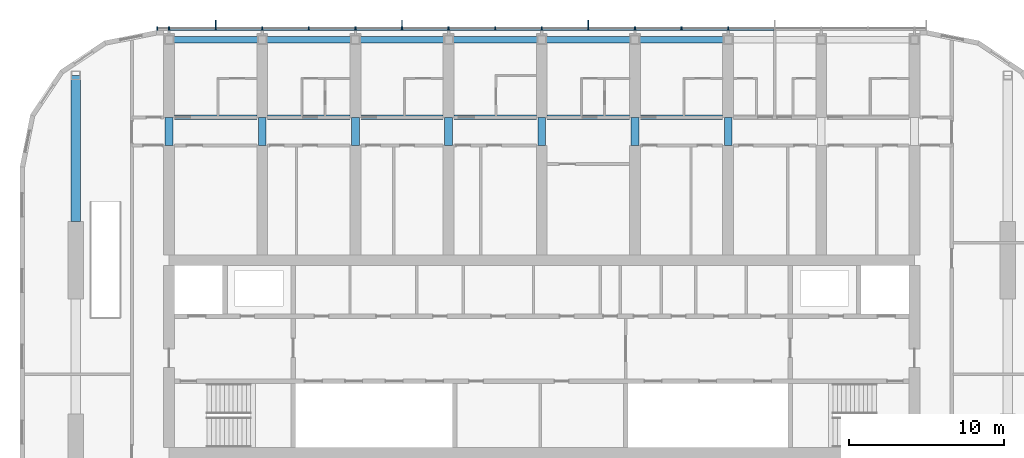
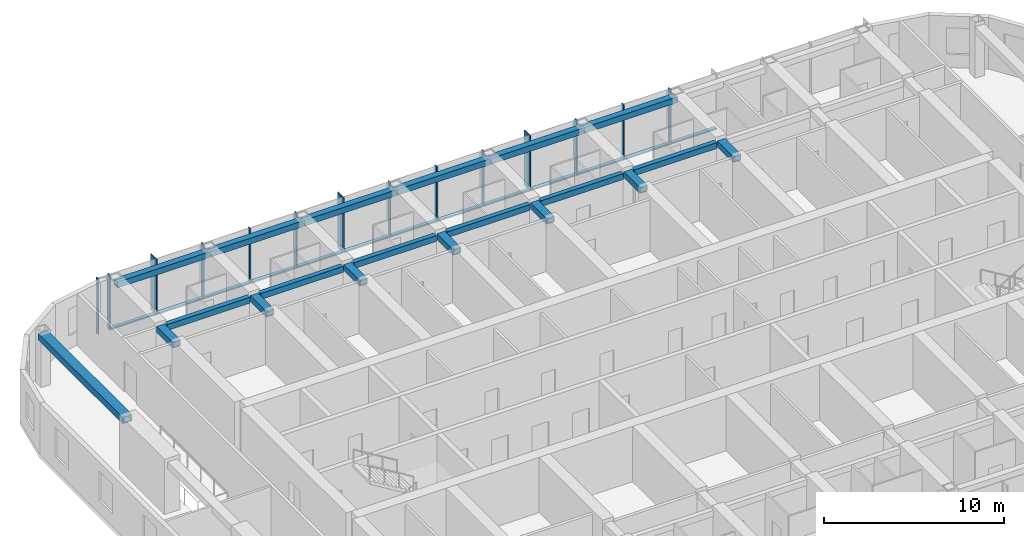
# One storey, part 4 of 23: 30 members, 20 beams, 1 element without a shape of its own.
"""IFC4 building model written with IfcOpenShell, lengths in metres."""

from ifc_helpers import new_model, si_unit, direction, frame, origin, origin_2d, place, context, subcontext, project, spatial, rectangle, hollow_rectangle, extrude, material, material_profile, profile_set, type_object, element, aggregate, save


model = new_model("IFC4")

# Units and contexts
model_context = context("Model", 3, precision=1e-05, world=origin(), true_north=direction((0.0, 1.0)))
body_context = subcontext(model_context, "Body", "Model", "MODEL_VIEW")
ifc_project = project(units=[si_unit("LENGTHUNIT", "METRE"), si_unit("AREAUNIT", "SQUARE_METRE"), si_unit("VOLUMEUNIT", "CUBIC_METRE"), si_unit("PLANEANGLEUNIT", "RADIAN"), si_unit("MASSUNIT", "GRAM", prefix="KILO")], contexts=[model_context])

# Site, building, storey
site_placement = place(None, origin())
site = spatial("IfcSite", under=ifc_project, at=site_placement, CompositionType="ELEMENT")
building_placement = place(site_placement, origin())
building = spatial("IfcBuilding", under=site, at=building_placement, Name="Orbita Commons", CompositionType="ELEMENT")
storey_placement = place(building_placement, frame((0.0, 0.0, 220.300048828125)))
storey = spatial("IfcBuildingStorey", under=building, at=storey_placement, Name="L54", CompositionType="ELEMENT", Elevation=220.300048828125)

# Curtain wall, members
ifc_material_1 = material(Name="Anodised aluminium frame, pale silver", Category="aluminium")
curtain_wall_type = type_object("IfcCurtainWallType", Name="Unitised curtain wall CW-U, full-height vision", PredefinedType="NOTDEFINED", material=ifc_material_1)
curtain_wall_placement = place(storey_placement, origin())
curtain_wall = element("IfcCurtainWall", 1, at=curtain_wall_placement, inside=storey, type_object=curtain_wall_type, Name="Curtain wall north L54", PredefinedType="NOTDEFINED")
ifc_material_2 = material(Name="Anodised aluminium, pale silver", Category="aluminium")
ifc_material_profile_1 = material_profile(ifc_material_2, rectangle(XDim=0.080078125, YDim=0.219970703125, at=origin_2d()), Name="AL 80x220")
ifc_profile_set_1 = profile_set([ifc_material_profile_1], Name="Anodised aluminium, pale silver")
member_type_1 = type_object("IfcMemberType", Name="Curtain wall mullion 80x220", PredefinedType="MULLION", material=ifc_profile_set_1)
member_1_placement = place(storey_placement, frame((54.0, 53.110107421875, -0.25), z_axis=(0.0, 0.0, 1.0), x_axis=(-1.0, 0.0, 0.0)))
member_1 = element("IfcMember", 2, at=member_1_placement, type_object=member_type_1, Name="Mullion 6 CW-L54-N", PredefinedType="MULLION", context=body_context, shape_type="SweptSolid", body=[
    extrude(rectangle(XDim=0.080078125, YDim=0.219970703125, at=origin_2d()), origin(), (0.0, 0.0, 1.0), 3.75),
])
member_2_placement = place(storey_placement, frame((51.0, 53.110107421875, -0.25), z_axis=(0.0, 0.0, 1.0), x_axis=(-1.0, 0.0, 0.0)))
member_2 = element("IfcMember", 3, at=member_2_placement, type_object=member_type_1, Name="Mullion 7 CW-L54-N", PredefinedType="MULLION", context=body_context, shape_type="SweptSolid", body=[
    extrude(rectangle(XDim=0.080078125, YDim=0.219970703125, at=origin_2d()), origin(), (0.0, 0.0, 1.0), 3.75),
])
member_3_placement = place(storey_placement, frame((48.0, 53.110107421875, -0.25), z_axis=(0.0, 0.0, 1.0), x_axis=(-1.0, 0.0, 0.0)))
member_3 = element("IfcMember", 4, at=member_3_placement, type_object=member_type_1, Name="Mullion 8 CW-L54-N", PredefinedType="MULLION", context=body_context, shape_type="SweptSolid", body=[
    extrude(rectangle(XDim=0.080078125, YDim=0.219970703125, at=origin_2d()), origin(), (0.0, 0.0, 1.0), 3.75),
])
member_4_placement = place(storey_placement, frame((45.0, 53.110107421875, -0.25), z_axis=(0.0, 0.0, 1.0), x_axis=(-1.0, 0.0, 0.0)))
member_4 = element("IfcMember", 5, at=member_4_placement, type_object=member_type_1, Name="Mullion 9 CW-L54-N", PredefinedType="MULLION", context=body_context, shape_type="SweptSolid", body=[
    extrude(rectangle(XDim=0.080078125, YDim=0.219970703125, at=origin_2d()), origin(), (0.0, 0.0, 1.0), 3.75),
])
member_5_placement = place(storey_placement, frame((42.0, 53.110107421875, -0.25), z_axis=(0.0, 0.0, 1.0), x_axis=(-1.0, 0.0, 0.0)))
member_5 = element("IfcMember", 6, at=member_5_placement, type_object=member_type_1, Name="Mullion 10 CW-L54-N", PredefinedType="MULLION", context=body_context, shape_type="SweptSolid", body=[
    extrude(rectangle(XDim=0.080078125, YDim=0.219970703125, at=origin_2d()), origin(), (0.0, 0.0, 1.0), 3.75),
])
member_6_placement = place(storey_placement, frame((39.0, 53.110107421875, -0.25), z_axis=(0.0, 0.0, 1.0), x_axis=(-1.0, 0.0, 0.0)))
member_6 = element("IfcMember", 7, at=member_6_placement, type_object=member_type_1, Name="Mullion 11 CW-L54-N", PredefinedType="MULLION", context=body_context, shape_type="SweptSolid", body=[
    extrude(rectangle(XDim=0.080078125, YDim=0.219970703125, at=origin_2d()), origin(), (0.0, 0.0, 1.0), 3.75),
])
member_7_placement = place(storey_placement, frame((36.0, 53.110107421875, -0.25), z_axis=(0.0, 0.0, 1.0), x_axis=(-1.0, 0.0, 0.0)))
member_7 = element("IfcMember", 8, at=member_7_placement, type_object=member_type_1, Name="Mullion 12 CW-L54-N", PredefinedType="MULLION", context=body_context, shape_type="SweptSolid", body=[
    extrude(rectangle(XDim=0.080078125, YDim=0.219970703125, at=origin_2d()), origin(), (0.0, 0.0, 1.0), 3.75),
])
member_8_placement = place(storey_placement, frame((33.0, 53.110107421875, -0.25), z_axis=(0.0, 0.0, 1.0), x_axis=(-1.0, 0.0, 0.0)))
member_8 = element("IfcMember", 9, at=member_8_placement, type_object=member_type_1, Name="Mullion 13 CW-L54-N", PredefinedType="MULLION", context=body_context, shape_type="SweptSolid", body=[
    extrude(rectangle(XDim=0.080078125, YDim=0.219970703125, at=origin_2d()), origin(), (0.0, 0.0, 1.0), 3.75),
])
member_9_placement = place(storey_placement, frame((30.0, 53.110107421875, -0.25), z_axis=(0.0, 0.0, 1.0), x_axis=(-1.0, 0.0, 0.0)))
member_9 = element("IfcMember", 10, at=member_9_placement, type_object=member_type_1, Name="Mullion 14 CW-L54-N", PredefinedType="MULLION", context=body_context, shape_type="SweptSolid", body=[
    extrude(rectangle(XDim=0.080078125, YDim=0.219970703125, at=origin_2d()), origin(), (0.0, 0.0, 1.0), 3.75),
])
member_10_placement = place(storey_placement, frame((27.0, 53.110107421875, -0.25), z_axis=(0.0, 0.0, 1.0), x_axis=(-1.0, 0.0, 0.0)))
member_10 = element("IfcMember", 11, at=member_10_placement, type_object=member_type_1, Name="Mullion 15 CW-L54-N", PredefinedType="MULLION", context=body_context, shape_type="SweptSolid", body=[
    extrude(rectangle(XDim=0.080078125, YDim=0.219970703125, at=origin_2d()), origin(), (0.0, 0.0, 1.0), 3.75),
])
member_11_placement = place(storey_placement, frame((24.0, 53.110107421875, -0.25), z_axis=(0.0, 0.0, 1.0), x_axis=(-1.0, 0.0, 0.0)))
member_11 = element("IfcMember", 12, at=member_11_placement, type_object=member_type_1, Name="Mullion 16 CW-L54-N", PredefinedType="MULLION", context=body_context, shape_type="SweptSolid", body=[
    extrude(rectangle(XDim=0.080078125, YDim=0.219970703125, at=origin_2d()), origin(), (0.0, 0.0, 1.0), 3.75),
])
member_12_placement = place(storey_placement, frame((21.0, 53.110107421875, -0.25), z_axis=(0.0, 0.0, 1.0), x_axis=(-1.0, 0.0, 0.0)))
member_12 = element("IfcMember", 13, at=member_12_placement, type_object=member_type_1, Name="Mullion 17 CW-L54-N", PredefinedType="MULLION", context=body_context, shape_type="SweptSolid", body=[
    extrude(rectangle(XDim=0.080078125, YDim=0.219970703125, at=origin_2d()), origin(), (0.0, 0.0, 1.0), 3.75),
])
member_13_placement = place(storey_placement, frame((18.0, 53.110107421875, -0.25), z_axis=(0.0, 0.0, 1.0), x_axis=(-1.0, 0.0, 0.0)))
member_13 = element("IfcMember", 14, at=member_13_placement, type_object=member_type_1, Name="Mullion 18 CW-L54-N", PredefinedType="MULLION", context=body_context, shape_type="SweptSolid", body=[
    extrude(rectangle(XDim=0.080078125, YDim=0.219970703125, at=origin_2d()), origin(), (0.0, 0.0, 1.0), 3.75),
])
member_14_placement = place(storey_placement, frame((17.239990234375, 53.110107421875, -0.25), z_axis=(0.0, 0.0, 1.0), x_axis=(-1.0, 0.0, 0.0)))
member_14 = element("IfcMember", 15, at=member_14_placement, type_object=member_type_1, Name="Mullion 19 CW-L54-N", PredefinedType="MULLION", context=body_context, shape_type="SweptSolid", body=[
    extrude(rectangle(XDim=0.080078125, YDim=0.219970703125, at=origin_2d()), origin(), (0.0, 0.0, 1.0), 3.75),
])
ifc_material_3 = material(Name="Anodised aluminium, pale silver", Category="aluminium")
ifc_material_profile_2 = material_profile(ifc_material_3, rectangle(XDim=0.219970703125, YDim=0.10009765625, at=origin_2d()), Name="AL 220x100")
ifc_profile_set_2 = profile_set([ifc_material_profile_2], Name="Anodised aluminium, pale silver")
member_type_2 = type_object("IfcMemberType", Name="Curtain wall stack transom 220x100", PredefinedType="USERDEFINED", material=ifc_profile_set_2)
member_15_placement = place(storey_placement, frame((56.9599609375, 53.110107421875, -0.199951171875), z_axis=(-1.0, 0.0, 0.0), x_axis=(0.0, -1.0, 0.0)))
member_15 = element("IfcMember", 16, at=member_15_placement, type_object=member_type_2, Name="Transom 5.1 CW-L54-N", ObjectType="TRANSOM", PredefinedType="USERDEFINED", context=body_context, shape_type="SweptSolid", body=[
    extrude(rectangle(XDim=0.219970703125, YDim=0.10009765625, at=origin_2d()), origin(), (0.0, 0.0, 1.0), 2.919921875),
])
member_16_placement = place(storey_placement, frame((53.9599609375, 53.110107421875, -0.199951171875), z_axis=(-1.0, 0.0, 0.0), x_axis=(0.0, -1.0, 0.0)))
member_16 = element("IfcMember", 17, at=member_16_placement, type_object=member_type_2, Name="Transom 6.1 CW-L54-N", ObjectType="TRANSOM", PredefinedType="USERDEFINED", context=body_context, shape_type="SweptSolid", body=[
    extrude(rectangle(XDim=0.219970703125, YDim=0.10009765625, at=origin_2d()), origin(), (0.0, 0.0, 1.0), 2.919921875),
])
member_17_placement = place(storey_placement, frame((50.9599609375, 53.110107421875, -0.199951171875), z_axis=(-1.0, 0.0, 0.0), x_axis=(0.0, -1.0, 0.0)))
member_17 = element("IfcMember", 18, at=member_17_placement, type_object=member_type_2, Name="Transom 7.1 CW-L54-N", ObjectType="TRANSOM", PredefinedType="USERDEFINED", context=body_context, shape_type="SweptSolid", body=[
    extrude(rectangle(XDim=0.219970703125, YDim=0.10009765625, at=origin_2d()), origin(), (0.0, 0.0, 1.0), 2.919921875),
])
member_18_placement = place(storey_placement, frame((47.9599609375, 53.110107421875, -0.199951171875), z_axis=(-1.0, 0.0, 0.0), x_axis=(0.0, -1.0, 0.0)))
member_18 = element("IfcMember", 19, at=member_18_placement, type_object=member_type_2, Name="Transom 8.1 CW-L54-N", ObjectType="TRANSOM", PredefinedType="USERDEFINED", context=body_context, shape_type="SweptSolid", body=[
    extrude(rectangle(XDim=0.219970703125, YDim=0.10009765625, at=origin_2d()), origin(), (0.0, 0.0, 1.0), 2.919921875),
])
member_19_placement = place(storey_placement, frame((44.9599609375, 53.110107421875, -0.199951171875), z_axis=(-1.0, 0.0, 0.0), x_axis=(0.0, -1.0, 0.0)))
member_19 = element("IfcMember", 20, at=member_19_placement, type_object=member_type_2, Name="Transom 9.1 CW-L54-N", ObjectType="TRANSOM", PredefinedType="USERDEFINED", context=body_context, shape_type="SweptSolid", body=[
    extrude(rectangle(XDim=0.219970703125, YDim=0.10009765625, at=origin_2d()), origin(), (0.0, 0.0, 1.0), 2.919921875),
])
member_20_placement = place(storey_placement, frame((41.9599609375, 53.110107421875, -0.199951171875), z_axis=(-1.0, 0.0, 0.0), x_axis=(0.0, -1.0, 0.0)))
member_20 = element("IfcMember", 21, at=member_20_placement, type_object=member_type_2, Name="Transom 10.1 CW-L54-N", ObjectType="TRANSOM", PredefinedType="USERDEFINED", context=body_context, shape_type="SweptSolid", body=[
    extrude(rectangle(XDim=0.219970703125, YDim=0.10009765625, at=origin_2d()), origin(), (0.0, 0.0, 1.0), 2.919921875),
])
member_21_placement = place(storey_placement, frame((38.9599609375, 53.110107421875, -0.199951171875), z_axis=(-1.0, 0.0, 0.0), x_axis=(0.0, -1.0, 0.0)))
member_21 = element("IfcMember", 22, at=member_21_placement, type_object=member_type_2, Name="Transom 11.1 CW-L54-N", ObjectType="TRANSOM", PredefinedType="USERDEFINED", context=body_context, shape_type="SweptSolid", body=[
    extrude(rectangle(XDim=0.219970703125, YDim=0.10009765625, at=origin_2d()), origin(), (0.0, 0.0, 1.0), 2.919921875),
])
member_22_placement = place(storey_placement, frame((35.9599609375, 53.110107421875, -0.199951171875), z_axis=(-1.0, 0.0, 0.0), x_axis=(0.0, -1.0, 0.0)))
member_22 = element("IfcMember", 23, at=member_22_placement, type_object=member_type_2, Name="Transom 12.1 CW-L54-N", ObjectType="TRANSOM", PredefinedType="USERDEFINED", context=body_context, shape_type="SweptSolid", body=[
    extrude(rectangle(XDim=0.219970703125, YDim=0.10009765625, at=origin_2d()), origin(), (0.0, 0.0, 1.0), 2.919921875),
])
member_23_placement = place(storey_placement, frame((32.9599609375, 53.110107421875, -0.199951171875), z_axis=(-1.0, 0.0, 0.0), x_axis=(0.0, -1.0, 0.0)))
member_23 = element("IfcMember", 24, at=member_23_placement, type_object=member_type_2, Name="Transom 13.1 CW-L54-N", ObjectType="TRANSOM", PredefinedType="USERDEFINED", context=body_context, shape_type="SweptSolid", body=[
    extrude(rectangle(XDim=0.219970703125, YDim=0.10009765625, at=origin_2d()), origin(), (0.0, 0.0, 1.0), 2.919921875),
])
member_24_placement = place(storey_placement, frame((29.9599609375, 53.110107421875, -0.199951171875), z_axis=(-1.0, 0.0, 0.0), x_axis=(0.0, -1.0, 0.0)))
member_24 = element("IfcMember", 25, at=member_24_placement, type_object=member_type_2, Name="Transom 14.1 CW-L54-N", ObjectType="TRANSOM", PredefinedType="USERDEFINED", context=body_context, shape_type="SweptSolid", body=[
    extrude(rectangle(XDim=0.219970703125, YDim=0.10009765625, at=origin_2d()), origin(), (0.0, 0.0, 1.0), 2.919921875),
])
member_25_placement = place(storey_placement, frame((26.9599609375, 53.110107421875, -0.199951171875), z_axis=(-1.0, 0.0, 0.0), x_axis=(0.0, -1.0, 0.0)))
member_25 = element("IfcMember", 26, at=member_25_placement, type_object=member_type_2, Name="Transom 15.1 CW-L54-N", ObjectType="TRANSOM", PredefinedType="USERDEFINED", context=body_context, shape_type="SweptSolid", body=[
    extrude(rectangle(XDim=0.219970703125, YDim=0.10009765625, at=origin_2d()), origin(), (0.0, 0.0, 1.0), 2.919921875),
])
member_26_placement = place(storey_placement, frame((23.9599609375, 53.110107421875, -0.199951171875), z_axis=(-1.0, 0.0, 0.0), x_axis=(0.0, -1.0, 0.0)))
member_26 = element("IfcMember", 27, at=member_26_placement, type_object=member_type_2, Name="Transom 16.1 CW-L54-N", ObjectType="TRANSOM", PredefinedType="USERDEFINED", context=body_context, shape_type="SweptSolid", body=[
    extrude(rectangle(XDim=0.219970703125, YDim=0.10009765625, at=origin_2d()), origin(), (0.0, 0.0, 1.0), 2.919921875),
])
member_27_placement = place(storey_placement, frame((20.9599609375, 53.110107421875, -0.199951171875), z_axis=(-1.0, 0.0, 0.0), x_axis=(0.0, -1.0, 0.0)))
member_27 = element("IfcMember", 28, at=member_27_placement, type_object=member_type_2, Name="Transom 17.1 CW-L54-N", ObjectType="TRANSOM", PredefinedType="USERDEFINED", context=body_context, shape_type="SweptSolid", body=[
    extrude(rectangle(XDim=0.219970703125, YDim=0.10009765625, at=origin_2d()), origin(), (0.0, 0.0, 1.0), 2.919921875),
])

# Beams
ifc_material_4 = material(Name="Steel ASTM A572 Gr 50 welded plate", Category="steel")
ifc_material_profile_3 = material_profile(ifc_material_4, hollow_rectangle(XDim=0.300048828125, YDim=0.39990234375, WallThickness=0.0400390625, at=origin_2d()), Name="BOX 400x300x40")
ifc_profile_set_3 = profile_set([ifc_material_profile_3], Name="Steel ASTM A572 Gr 50 welded plate")
beam_type_1 = type_object("IfcBeamType", Name="Steel corridor link BOX 400x300x40", PredefinedType="BEAM", material=ifc_profile_set_3)
for number, where, z_axis, x_axis, name in (
    (29, (18.35009765625, 47.39990234375, 3.300048828125), (1.0, 0.0, 0.0), (0.0, 1.0, 0.0), "Corridor beam NB 4-5 L54"),
    (30, (24.35009765625, 47.39990234375, 3.300048828125), (1.0, 0.0, 0.0), (0.0, 1.0, 0.0), "Corridor beam NB 5-6 L54"),
    (31, (30.35009765625, 47.39990234375, 3.300048828125), (1.0, 0.0, 0.0), (0.0, 1.0, 0.0), "Corridor beam NB 6-7 L54"),
    (32, (36.35009765625, 47.39990234375, 3.300048828125), (1.0, 0.0, 0.0), (0.0, 1.0, 0.0), "Corridor beam NB 7-8 L54"),
    (33, (42.35009765625, 47.39990234375, 3.300048828125), (1.0, 0.0, 0.0), (0.0, 1.0, 0.0), "Corridor beam NB 8-9 L54"),
    (34, (48.35009765625, 47.39990234375, 3.300048828125), (1.0, 0.0, 0.0), (0.0, 1.0, 0.0), "Corridor beam NB 9-10 L54"),
):
    element("IfcBeam", number, at=place(storey_placement, frame(where, z_axis=z_axis, x_axis=x_axis)), inside=storey, type_object=beam_type_1, Name=name, PredefinedType="BEAM", context=body_context, shape_type="SweptSolid", body=[
        extrude(hollow_rectangle(XDim=0.300048828125, YDim=0.39990234375, WallThickness=0.0400390625, at=origin_2d()), origin(), (0.0, 0.0, 1.0), 5.2998046875),
    ])
ifc_material_5 = material(Name="Steel ASTM A572 Gr 50 welded plate", Category="steel")
ifc_material_profile_4 = material_profile(ifc_material_5, hollow_rectangle(XDim=0.5, YDim=0.39990234375, WallThickness=0.050048828125, at=origin_2d()), Name="BOX 400x500x50")
ifc_profile_set_4 = profile_set([ifc_material_profile_4], Name="Steel ASTM A572 Gr 50 welded plate")
beam_type_2 = type_object("IfcBeamType", Name="Steel coupling link BOX 400x500x50", PredefinedType="LINTEL", material=ifc_profile_set_4)
for number, where, z_axis, x_axis, name in (
    (35, (18.0, 45.60009765625, 3.300048828125), (0.0, 1.0, 0.0), (-1.0, 0.0, 0.0), "Coupling beam 4 north L54"),
    (36, (24.0, 45.60009765625, 3.300048828125), (0.0, 1.0, 0.0), (-1.0, 0.0, 0.0), "Coupling beam 5 north L54"),
    (37, (30.0, 45.60009765625, 3.300048828125), (0.0, 1.0, 0.0), (-1.0, 0.0, 0.0), "Coupling beam 6 north L54"),
    (38, (36.0, 45.60009765625, 3.300048828125), (0.0, 1.0, 0.0), (-1.0, 0.0, 0.0), "Coupling beam 7 north L54"),
    (39, (42.0, 45.60009765625, 3.300048828125), (0.0, 1.0, 0.0), (-1.0, 0.0, 0.0), "Coupling beam 8 north L54"),
    (40, (48.0, 45.60009765625, 3.300048828125), (0.0, 1.0, 0.0), (-1.0, 0.0, 0.0), "Coupling beam 9 north L54"),
    (41, (54.0, 45.60009765625, 3.300048828125), (0.0, 1.0, 0.0), (-1.0, 0.0, 0.0), "Coupling beam 10 north L54"),
):
    element("IfcBeam", number, at=place(storey_placement, frame(where, z_axis=z_axis, x_axis=x_axis)), inside=storey, type_object=beam_type_2, Name=name, PredefinedType="LINTEL", context=body_context, shape_type="SweptSolid", body=[
        extrude(hollow_rectangle(XDim=0.5, YDim=0.39990234375, WallThickness=0.050048828125, at=origin_2d()), origin(), (0.0, 0.0, 1.0), 1.7998046875),
    ])
ifc_material_6 = material(Name="Steel ASTM A572 Gr 50 welded plate", Category="steel")
ifc_material_profile_5 = material_profile(ifc_material_6, hollow_rectangle(XDim=0.60009765625, YDim=0.449951171875, WallThickness=0.06005859375, at=origin_2d()), Name="BOX 450x600x60")
ifc_profile_set_5 = profile_set([ifc_material_profile_5], Name="Steel ASTM A572 Gr 50 welded plate")
beam_type_3 = type_object("IfcBeamType", Name="Steel end frame link BOX 450x600x60", PredefinedType="BEAM", material=ifc_profile_set_5)
beam_placement = place(storey_placement, frame((12.0, 40.699951171875, 3.27490234375), z_axis=(0.0, 1.0, 0.0), x_axis=(-1.0, 0.0, 0.0)))
element("IfcBeam", 42, at=beam_placement, inside=storey, type_object=beam_type_3, Name="End frame beam 3 D-E L54", PredefinedType="BEAM", context=body_context, shape_type="SweptSolid", body=[
    extrude(hollow_rectangle(XDim=0.60009765625, YDim=0.449951171875, WallThickness=0.06005859375, at=origin_2d()), origin(), (0.0, 0.0, 1.0), 9.400146484375),
])
ifc_material_7 = material(Name="Steel ASTM A572 Gr 50 welded plate", Category="steel")
ifc_material_profile_6 = material_profile(ifc_material_7, hollow_rectangle(XDim=0.39990234375, YDim=0.39990234375, WallThickness=0.0400390625, at=origin_2d()), Name="BOX 400x400x40")
ifc_profile_set_6 = profile_set([ifc_material_profile_6], Name="Steel ASTM A572 Gr 50 welded plate")
beam_type_4 = type_object("IfcBeamType", Name="Steel spandrel BOX 400x400x40", PredefinedType="SPANDREL", material=ifc_profile_set_6)
for number, where, z_axis, x_axis, name in (
    (43, (18.0, 52.39990234375, 3.300048828125), (1.0, 0.0, 0.0), (0.0, 1.0, 0.0), "Spandrel beam E 4-5 L54"),
    (44, (24.0, 52.39990234375, 3.300048828125), (1.0, 0.0, 0.0), (0.0, 1.0, 0.0), "Spandrel beam E 5-6 L54"),
    (45, (30.0, 52.39990234375, 3.300048828125), (1.0, 0.0, 0.0), (0.0, 1.0, 0.0), "Spandrel beam E 6-7 L54"),
    (46, (36.0, 52.39990234375, 3.300048828125), (1.0, 0.0, 0.0), (0.0, 1.0, 0.0), "Spandrel beam E 7-8 L54"),
    (47, (42.0, 52.39990234375, 3.300048828125), (1.0, 0.0, 0.0), (0.0, 1.0, 0.0), "Spandrel beam E 8-9 L54"),
    (48, (48.0, 52.39990234375, 3.300048828125), (1.0, 0.0, 0.0), (0.0, 1.0, 0.0), "Spandrel beam E 9-10 L54"),
):
    element("IfcBeam", number, at=place(storey_placement, frame(where, z_axis=z_axis, x_axis=x_axis)), inside=storey, type_object=beam_type_4, Name=name, PredefinedType="SPANDREL", context=body_context, shape_type="SweptSolid", body=[
        extrude(hollow_rectangle(XDim=0.39990234375, YDim=0.39990234375, WallThickness=0.0400390625, at=origin_2d()), origin(), (0.0, 0.0, 1.0), 6.0),
    ])

# Member
ifc_material_8 = material(Name="Anodised aluminium, pale silver", Category="aluminium")
ifc_material_profile_7 = material_profile(ifc_material_8, rectangle(XDim=0.06005859375, YDim=0.449951171875, at=origin_2d()), Name="FIN 60x450")
ifc_profile_set_7 = profile_set([ifc_material_profile_7], Name="Anodised aluminium, pale silver")
member_type_3 = type_object("IfcMemberType", Name="Vertical fin 60x450 pale aluminium", PredefinedType="USERDEFINED", material=ifc_profile_set_7)
member_28_placement = place(storey_placement, frame((45.0, 53.445068359375, -0.25), z_axis=(0.0, 0.0, 1.0), x_axis=(-1.0, 0.0, 0.0)))
member_28 = element("IfcMember", 49, at=member_28_placement, type_object=member_type_3, Name="Fin 9 CW-L54-N", ObjectType="FIN", PredefinedType="USERDEFINED", context=body_context, shape_type="SweptSolid", body=[
    extrude(rectangle(XDim=0.06005859375, YDim=0.449951171875, at=origin_2d()), origin(), (0.0, 0.0, 1.0), 3.75),
])

member_29_placement = place(storey_placement, frame((33.0, 53.445068359375, -0.25), z_axis=(0.0, 0.0, 1.0), x_axis=(-1.0, 0.0, 0.0)))
member_29 = element("IfcMember", 50, at=member_29_placement, type_object=member_type_3, Name="Fin 13 CW-L54-N", ObjectType="FIN", PredefinedType="USERDEFINED", context=body_context, shape_type="SweptSolid", body=[
    extrude(rectangle(XDim=0.06005859375, YDim=0.449951171875, at=origin_2d()), origin(), (0.0, 0.0, 1.0), 3.75),
])

member_30_placement = place(storey_placement, frame((21.0, 53.445068359375, -0.25), z_axis=(0.0, 0.0, 1.0), x_axis=(-1.0, 0.0, 0.0)))
member_30 = element("IfcMember", 51, at=member_30_placement, type_object=member_type_3, Name="Fin 17 CW-L54-N", ObjectType="FIN", PredefinedType="USERDEFINED", context=body_context, shape_type="SweptSolid", body=[
    extrude(rectangle(XDim=0.06005859375, YDim=0.449951171875, at=origin_2d()), origin(), (0.0, 0.0, 1.0), 3.75),
])

aggregate(curtain_wall, [member_1, member_2, member_3, member_4, member_28, member_5, member_6, member_7, member_8, member_29, member_9, member_10, member_11, member_12, member_30, member_13, member_14, member_15, member_16, member_17, member_18, member_19, member_20, member_21, member_22, member_23, member_24, member_25, member_26, member_27])

save(model, "model.ifc")
